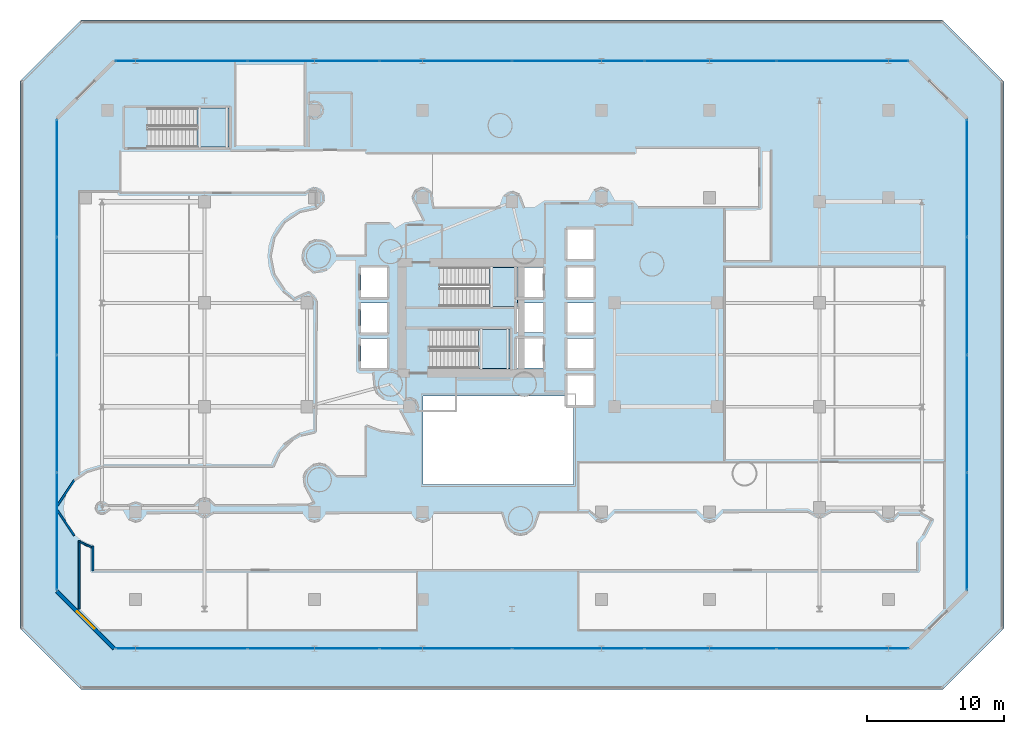
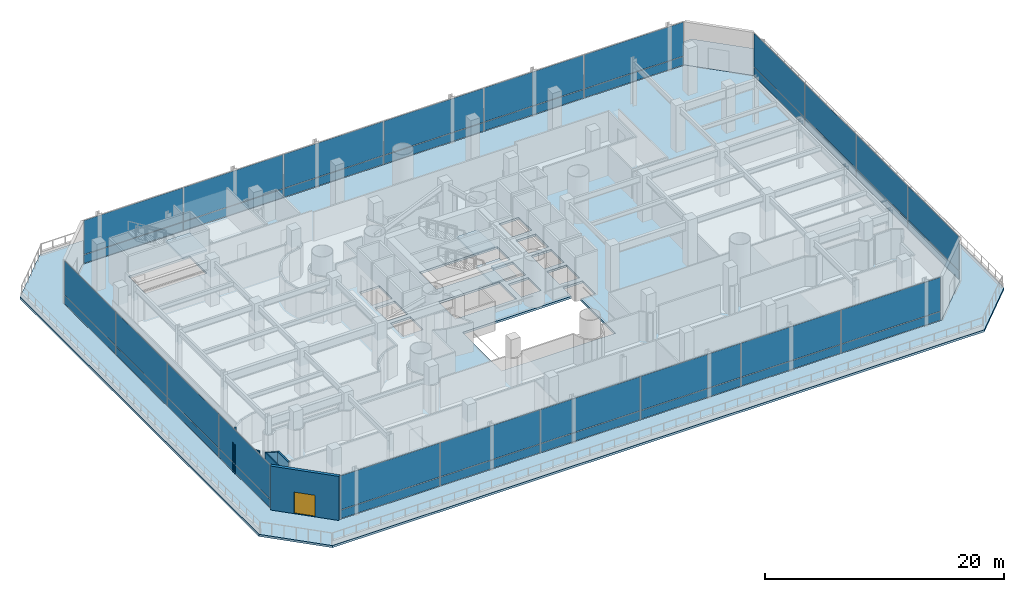
# One storey, part 25 of 39: 40 plates, 6 walls, 5 slabs, 1 door, 1 opening, 7 elements without a shape of their own.
"""IFC4 building model written with IfcOpenShell, lengths in metres."""

from ifc_helpers import new_model, si_unit, direction, frame, frame_2d, origin, origin_2d, place, context, subcontext, project, spatial, polyline, rectangle, outline, extrude, material, layer, layer_set, type_object, element, fill, aggregate, save


model = new_model("IFC4")

# Units and contexts
model_context = context("Model", 3, precision=1e-05, world=origin(), true_north=direction((0.0, 1.0)))
body_context = subcontext(model_context, "Body", "Model", "MODEL_VIEW")
ifc_project = project(units=[si_unit("LENGTHUNIT", "METRE"), si_unit("AREAUNIT", "SQUARE_METRE"), si_unit("VOLUMEUNIT", "CUBIC_METRE"), si_unit("PLANEANGLEUNIT", "RADIAN"), si_unit("MASSUNIT", "GRAM", prefix="KILO")], contexts=[model_context])

# Site, building, storey
site_placement = place(None, origin())
site = spatial("IfcSite", under=ifc_project, at=site_placement, CompositionType="ELEMENT")
building_placement = place(site_placement, origin())
building = spatial("IfcBuilding", under=site, at=building_placement, Name="Qianvela Tower", CompositionType="ELEMENT")
storey_placement = place(building_placement, frame((0.0, 0.0, 15.800048828125)))
storey = spatial("IfcBuildingStorey", under=building, at=storey_placement, Name="L03", CompositionType="ELEMENT", Elevation=15.800048828125)

# Curtain wall, plates
ifc_material_1 = material(Name="Anodised Architectural Aluminium and Low-E Glass", Category="aluminium")
ifc_layer_1 = layer(ifc_material_1, 0.179931640625)
ifc_layer_set_1 = layer_set([ifc_layer_1], Name="Anodised Architectural Aluminium and Low-E Glass")
curtain_wall_type = type_object("IfcCurtainWallType", Name="CW-COMMONS", PredefinedType="USERDEFINED", material=ifc_layer_set_1)
curtain_wall_1_placement = place(storey_placement, origin())
curtain_wall_1 = element("IfcCurtainWall", 1, at=curtain_wall_1_placement, inside=storey, type_object=curtain_wall_type, Name="L03 CW-COMMONS Curtain Wall 01", ObjectType="CURTAIN_WALL_SYSTEM", PredefinedType="USERDEFINED")
ifc_material_2 = material(Name="Double-Silver Low-E Insulated Glass", Category="glass")
ifc_layer_2 = layer(ifc_material_2, 0.031982421875)
ifc_layer_set_2 = layer_set([ifc_layer_2], Name="Double-Silver Low-E Insulated Glass")
plate_type = type_object("IfcPlateType", Name="CW-COMMONS-PNL", PredefinedType="CURTAIN_PANEL", material=ifc_layer_set_2)
plate_1_placement = place(storey_placement, frame((13.30908203125, 4.5, 0.06005859375), z_axis=(0.0, 0.0, 1.0), x_axis=(1.0, 0.0, 0.0)))
plate_1 = element("IfcPlate", 2, at=plate_1_placement, type_object=plate_type, Name="CW-2 panel 1.1", PredefinedType="CURTAIN_PANEL", context=body_context, shape_type="SweptSolid", body=[
    extrude(rectangle(XDim=9.578369140625, YDim=0.031982421875, at=origin_2d()), origin(), (0.0, 0.0, 1.0), 0.860107421875),
])
plate_2_placement = place(storey_placement, frame((13.30908203125, 4.5, 0.97998046875), z_axis=(0.0, 0.0, 1.0), x_axis=(1.0, 0.0, 0.0)))
plate_2 = element("IfcPlate", 3, at=plate_2_placement, type_object=plate_type, Name="CW-2 panel 1.2", PredefinedType="CURTAIN_PANEL", context=body_context, shape_type="SweptSolid", body=[
    extrude(rectangle(XDim=9.578369140625, YDim=0.031982421875, at=origin_2d()), origin(), (0.0, 0.0, 1.0), 3.4599609375),
])
plate_3_placement = place(storey_placement, frame((22.97509765625, 4.5, 0.06005859375), z_axis=(0.0, 0.0, 1.0), x_axis=(1.0, 0.0, 0.0)))
plate_3 = element("IfcPlate", 4, at=plate_3_placement, type_object=plate_type, Name="CW-2 panel 2.1", PredefinedType="CURTAIN_PANEL", context=body_context, shape_type="SweptSolid", body=[
    extrude(rectangle(XDim=9.61328125, YDim=0.031982421875, at=origin_2d()), origin(), (0.0, 0.0, 1.0), 0.860107421875),
])
plate_4_placement = place(storey_placement, frame((22.97509765625, 4.5, 0.97998046875), z_axis=(0.0, 0.0, 1.0), x_axis=(1.0, 0.0, 0.0)))
plate_4 = element("IfcPlate", 5, at=plate_4_placement, type_object=plate_type, Name="CW-2 panel 2.2", PredefinedType="CURTAIN_PANEL", context=body_context, shape_type="SweptSolid", body=[
    extrude(rectangle(XDim=9.61328125, YDim=0.031982421875, at=origin_2d()), origin(), (0.0, 0.0, 1.0), 3.4599609375),
])
plate_5_placement = place(storey_placement, frame((32.658447265625, 4.5, 0.06005859375), z_axis=(0.0, 0.0, 1.0), x_axis=(1.0, 0.0, 0.0)))
plate_5 = element("IfcPlate", 6, at=plate_5_placement, type_object=plate_type, Name="CW-2 panel 3.1", PredefinedType="CURTAIN_PANEL", context=body_context, shape_type="SweptSolid", body=[
    extrude(rectangle(XDim=9.61328125, YDim=0.031982421875, at=origin_2d()), origin(), (0.0, 0.0, 1.0), 0.860107421875),
])
plate_6_placement = place(storey_placement, frame((32.658447265625, 4.5, 0.97998046875), z_axis=(0.0, 0.0, 1.0), x_axis=(1.0, 0.0, 0.0)))
plate_6 = element("IfcPlate", 7, at=plate_6_placement, type_object=plate_type, Name="CW-2 panel 3.2", PredefinedType="CURTAIN_PANEL", context=body_context, shape_type="SweptSolid", body=[
    extrude(rectangle(XDim=9.61328125, YDim=0.031982421875, at=origin_2d()), origin(), (0.0, 0.0, 1.0), 3.4599609375),
])
plate_7_placement = place(storey_placement, frame((42.341552734375, 4.5, 0.06005859375), z_axis=(0.0, 0.0, 1.0), x_axis=(1.0, 0.0, 0.0)))
plate_7 = element("IfcPlate", 8, at=plate_7_placement, type_object=plate_type, Name="CW-2 panel 4.1", PredefinedType="CURTAIN_PANEL", context=body_context, shape_type="SweptSolid", body=[
    extrude(rectangle(XDim=9.61328125, YDim=0.031982421875, at=origin_2d()), origin(), (0.0, 0.0, 1.0), 0.860107421875),
])
plate_8_placement = place(storey_placement, frame((42.341552734375, 4.5, 0.97998046875), z_axis=(0.0, 0.0, 1.0), x_axis=(1.0, 0.0, 0.0)))
plate_8 = element("IfcPlate", 9, at=plate_8_placement, type_object=plate_type, Name="CW-2 panel 4.2", PredefinedType="CURTAIN_PANEL", context=body_context, shape_type="SweptSolid", body=[
    extrude(rectangle(XDim=9.61328125, YDim=0.031982421875, at=origin_2d()), origin(), (0.0, 0.0, 1.0), 3.4599609375),
])
plate_9_placement = place(storey_placement, frame((52.02490234375, 4.5, 0.06005859375), z_axis=(0.0, 0.0, 1.0), x_axis=(1.0, 0.0, 0.0)))
plate_9 = element("IfcPlate", 10, at=plate_9_placement, type_object=plate_type, Name="CW-2 panel 5.1", PredefinedType="CURTAIN_PANEL", context=body_context, shape_type="SweptSolid", body=[
    extrude(rectangle(XDim=9.61328125, YDim=0.031982421875, at=origin_2d()), origin(), (0.0, 0.0, 1.0), 0.860107421875),
])
plate_10_placement = place(storey_placement, frame((52.02490234375, 4.5, 0.97998046875), z_axis=(0.0, 0.0, 1.0), x_axis=(1.0, 0.0, 0.0)))
plate_10 = element("IfcPlate", 11, at=plate_10_placement, type_object=plate_type, Name="CW-2 panel 5.2", PredefinedType="CURTAIN_PANEL", context=body_context, shape_type="SweptSolid", body=[
    extrude(rectangle(XDim=9.61328125, YDim=0.031982421875, at=origin_2d()), origin(), (0.0, 0.0, 1.0), 3.4599609375),
])
plate_11_placement = place(storey_placement, frame((61.69091796875, 4.5, 0.06005859375), z_axis=(0.0, 0.0, 1.0), x_axis=(1.0, 0.0, 0.0)))
plate_11 = element("IfcPlate", 12, at=plate_11_placement, type_object=plate_type, Name="CW-2 panel 6.1", PredefinedType="CURTAIN_PANEL", context=body_context, shape_type="SweptSolid", body=[
    extrude(rectangle(XDim=9.578369140625, YDim=0.031982421875, at=origin_2d()), origin(), (0.0, 0.0, 1.0), 0.860107421875),
])
plate_12_placement = place(storey_placement, frame((61.69091796875, 4.5, 0.97998046875), z_axis=(0.0, 0.0, 1.0), x_axis=(1.0, 0.0, 0.0)))
plate_12 = element("IfcPlate", 13, at=plate_12_placement, type_object=plate_type, Name="CW-2 panel 6.2", PredefinedType="CURTAIN_PANEL", context=body_context, shape_type="SweptSolid", body=[
    extrude(rectangle(XDim=9.578369140625, YDim=0.031982421875, at=origin_2d()), origin(), (0.0, 0.0, 1.0), 3.4599609375),
])
aggregate(curtain_wall_1, [plate_1, plate_2, plate_3, plate_4, plate_5, plate_6, plate_7, plate_8, plate_9, plate_10, plate_11, plate_12])

curtain_wall_2_placement = place(storey_placement, origin())
curtain_wall_2 = element("IfcCurtainWall", 14, at=curtain_wall_2_placement, inside=storey, type_object=curtain_wall_type, Name="L03 CW-COMMONS Curtain Wall 03", ObjectType="CURTAIN_WALL_SYSTEM", PredefinedType="USERDEFINED")
plate_13_placement = place(storey_placement, frame((70.800048828125, 13.080078125, 0.06005859375), z_axis=(0.0, 0.0, 1.0), x_axis=(0.0, 1.0, 0.0)))
plate_13 = element("IfcPlate", 15, at=plate_13_placement, type_object=plate_type, Name="CW-2 panel 1.1", PredefinedType="CURTAIN_PANEL", context=body_context, shape_type="SweptSolid", body=[
    extrude(rectangle(XDim=8.52001953125, YDim=0.031982421875, at=origin_2d()), origin(), (0.0, 0.0, 1.0), 0.860107421875),
])
plate_14_placement = place(storey_placement, frame((70.800048828125, 13.080078125, 0.97998046875), z_axis=(0.0, 0.0, 1.0), x_axis=(0.0, 1.0, 0.0)))
plate_14 = element("IfcPlate", 16, at=plate_14_placement, type_object=plate_type, Name="CW-2 panel 1.2", PredefinedType="CURTAIN_PANEL", context=body_context, shape_type="SweptSolid", body=[
    extrude(rectangle(XDim=8.52001953125, YDim=0.031982421875, at=origin_2d()), origin(), (0.0, 0.0, 1.0), 3.4599609375),
])
plate_15_placement = place(storey_placement, frame((70.800048828125, 21.6875, 0.06005859375), z_axis=(0.0, 0.0, 1.0), x_axis=(0.0, 1.0, 0.0)))
plate_15 = element("IfcPlate", 17, at=plate_15_placement, type_object=plate_type, Name="CW-2 panel 2.1", PredefinedType="CURTAIN_PANEL", context=body_context, shape_type="SweptSolid", body=[
    extrude(rectangle(XDim=8.554931640625, YDim=0.031982421875, at=origin_2d()), origin(), (0.0, 0.0, 1.0), 0.860107421875),
])
plate_16_placement = place(storey_placement, frame((70.800048828125, 21.6875, 0.97998046875), z_axis=(0.0, 0.0, 1.0), x_axis=(0.0, 1.0, 0.0)))
plate_16 = element("IfcPlate", 18, at=plate_16_placement, type_object=plate_type, Name="CW-2 panel 2.2", PredefinedType="CURTAIN_PANEL", context=body_context, shape_type="SweptSolid", body=[
    extrude(rectangle(XDim=8.554931640625, YDim=0.031982421875, at=origin_2d()), origin(), (0.0, 0.0, 1.0), 3.4599609375),
])
plate_17_placement = place(storey_placement, frame((70.800048828125, 30.3125, 0.06005859375), z_axis=(0.0, 0.0, 1.0), x_axis=(0.0, 1.0, 0.0)))
plate_17 = element("IfcPlate", 19, at=plate_17_placement, type_object=plate_type, Name="CW-2 panel 3.1", PredefinedType="CURTAIN_PANEL", context=body_context, shape_type="SweptSolid", body=[
    extrude(rectangle(XDim=8.554931640625, YDim=0.031982421875, at=origin_2d()), origin(), (0.0, 0.0, 1.0), 0.860107421875),
])
plate_18_placement = place(storey_placement, frame((70.800048828125, 30.3125, 0.97998046875), z_axis=(0.0, 0.0, 1.0), x_axis=(0.0, 1.0, 0.0)))
plate_18 = element("IfcPlate", 20, at=plate_18_placement, type_object=plate_type, Name="CW-2 panel 3.2", PredefinedType="CURTAIN_PANEL", context=body_context, shape_type="SweptSolid", body=[
    extrude(rectangle(XDim=8.554931640625, YDim=0.031982421875, at=origin_2d()), origin(), (0.0, 0.0, 1.0), 3.4599609375),
])
plate_19_placement = place(storey_placement, frame((70.800048828125, 38.919921875, 0.06005859375), z_axis=(0.0, 0.0, 1.0), x_axis=(0.0, 1.0, 0.0)))
plate_19 = element("IfcPlate", 21, at=plate_19_placement, type_object=plate_type, Name="CW-2 panel 4.1", PredefinedType="CURTAIN_PANEL", context=body_context, shape_type="SweptSolid", body=[
    extrude(rectangle(XDim=8.52001953125, YDim=0.031982421875, at=origin_2d()), origin(), (0.0, 0.0, 1.0), 0.860107421875),
])
plate_20_placement = place(storey_placement, frame((70.800048828125, 38.919921875, 0.97998046875), z_axis=(0.0, 0.0, 1.0), x_axis=(0.0, 1.0, 0.0)))
plate_20 = element("IfcPlate", 22, at=plate_20_placement, type_object=plate_type, Name="CW-2 panel 4.2", PredefinedType="CURTAIN_PANEL", context=body_context, shape_type="SweptSolid", body=[
    extrude(rectangle(XDim=8.52001953125, YDim=0.031982421875, at=origin_2d()), origin(), (0.0, 0.0, 1.0), 3.4599609375),
])
aggregate(curtain_wall_2, [plate_13, plate_14, plate_15, plate_16, plate_17, plate_18, plate_19, plate_20])

curtain_wall_3_placement = place(storey_placement, origin())
curtain_wall_3 = element("IfcCurtainWall", 23, at=curtain_wall_3_placement, inside=storey, type_object=curtain_wall_type, Name="L03 CW-COMMONS Curtain Wall 05", ObjectType="CURTAIN_WALL_SYSTEM", PredefinedType="USERDEFINED")
plate_21_placement = place(storey_placement, frame((61.69091796875, 47.5, 0.06005859375), z_axis=(0.0, 0.0, 1.0), x_axis=(-1.0, 0.0, 0.0)))
plate_21 = element("IfcPlate", 24, at=plate_21_placement, type_object=plate_type, Name="CW-2 panel 1.1", PredefinedType="CURTAIN_PANEL", context=body_context, shape_type="SweptSolid", body=[
    extrude(rectangle(XDim=9.578369140625, YDim=0.031982421875, at=origin_2d()), origin(), (0.0, 0.0, 1.0), 0.860107421875),
])
plate_22_placement = place(storey_placement, frame((61.69091796875, 47.5, 0.97998046875), z_axis=(0.0, 0.0, 1.0), x_axis=(-1.0, 0.0, 0.0)))
plate_22 = element("IfcPlate", 25, at=plate_22_placement, type_object=plate_type, Name="CW-2 panel 1.2", PredefinedType="CURTAIN_PANEL", context=body_context, shape_type="SweptSolid", body=[
    extrude(rectangle(XDim=9.578369140625, YDim=0.031982421875, at=origin_2d()), origin(), (0.0, 0.0, 1.0), 3.4599609375),
])
plate_23_placement = place(storey_placement, frame((52.02490234375, 47.5, 0.06005859375), z_axis=(0.0, 0.0, 1.0), x_axis=(-1.0, 0.0, 0.0)))
plate_23 = element("IfcPlate", 26, at=plate_23_placement, type_object=plate_type, Name="CW-2 panel 2.1", PredefinedType="CURTAIN_PANEL", context=body_context, shape_type="SweptSolid", body=[
    extrude(rectangle(XDim=9.61328125, YDim=0.031982421875, at=origin_2d()), origin(), (0.0, 0.0, 1.0), 0.860107421875),
])
plate_24_placement = place(storey_placement, frame((52.02490234375, 47.5, 0.97998046875), z_axis=(0.0, 0.0, 1.0), x_axis=(-1.0, 0.0, 0.0)))
plate_24 = element("IfcPlate", 27, at=plate_24_placement, type_object=plate_type, Name="CW-2 panel 2.2", PredefinedType="CURTAIN_PANEL", context=body_context, shape_type="SweptSolid", body=[
    extrude(rectangle(XDim=9.61328125, YDim=0.031982421875, at=origin_2d()), origin(), (0.0, 0.0, 1.0), 3.4599609375),
])
plate_25_placement = place(storey_placement, frame((42.341552734375, 47.5, 0.06005859375), z_axis=(0.0, 0.0, 1.0), x_axis=(-1.0, 0.0, 0.0)))
plate_25 = element("IfcPlate", 28, at=plate_25_placement, type_object=plate_type, Name="CW-2 panel 3.1", PredefinedType="CURTAIN_PANEL", context=body_context, shape_type="SweptSolid", body=[
    extrude(rectangle(XDim=9.61328125, YDim=0.031982421875, at=origin_2d()), origin(), (0.0, 0.0, 1.0), 0.860107421875),
])
plate_26_placement = place(storey_placement, frame((42.341552734375, 47.5, 0.97998046875), z_axis=(0.0, 0.0, 1.0), x_axis=(-1.0, 0.0, 0.0)))
plate_26 = element("IfcPlate", 29, at=plate_26_placement, type_object=plate_type, Name="CW-2 panel 3.2", PredefinedType="CURTAIN_PANEL", context=body_context, shape_type="SweptSolid", body=[
    extrude(rectangle(XDim=9.61328125, YDim=0.031982421875, at=origin_2d()), origin(), (0.0, 0.0, 1.0), 3.4599609375),
])
plate_27_placement = place(storey_placement, frame((32.658447265625, 47.5, 0.06005859375), z_axis=(0.0, 0.0, 1.0), x_axis=(-1.0, 0.0, 0.0)))
plate_27 = element("IfcPlate", 30, at=plate_27_placement, type_object=plate_type, Name="CW-2 panel 4.1", PredefinedType="CURTAIN_PANEL", context=body_context, shape_type="SweptSolid", body=[
    extrude(rectangle(XDim=9.61328125, YDim=0.031982421875, at=origin_2d()), origin(), (0.0, 0.0, 1.0), 0.860107421875),
])
plate_28_placement = place(storey_placement, frame((32.658447265625, 47.5, 0.97998046875), z_axis=(0.0, 0.0, 1.0), x_axis=(-1.0, 0.0, 0.0)))
plate_28 = element("IfcPlate", 31, at=plate_28_placement, type_object=plate_type, Name="CW-2 panel 4.2", PredefinedType="CURTAIN_PANEL", context=body_context, shape_type="SweptSolid", body=[
    extrude(rectangle(XDim=9.61328125, YDim=0.031982421875, at=origin_2d()), origin(), (0.0, 0.0, 1.0), 3.4599609375),
])
plate_29_placement = place(storey_placement, frame((22.97509765625, 47.5, 0.06005859375), z_axis=(0.0, 0.0, 1.0), x_axis=(-1.0, 0.0, 0.0)))
plate_29 = element("IfcPlate", 32, at=plate_29_placement, type_object=plate_type, Name="CW-2 panel 5.1", PredefinedType="CURTAIN_PANEL", context=body_context, shape_type="SweptSolid", body=[
    extrude(rectangle(XDim=9.61328125, YDim=0.031982421875, at=origin_2d()), origin(), (0.0, 0.0, 1.0), 0.860107421875),
])
plate_30_placement = place(storey_placement, frame((22.97509765625, 47.5, 0.97998046875), z_axis=(0.0, 0.0, 1.0), x_axis=(-1.0, 0.0, 0.0)))
plate_30 = element("IfcPlate", 33, at=plate_30_placement, type_object=plate_type, Name="CW-2 panel 5.2", PredefinedType="CURTAIN_PANEL", context=body_context, shape_type="SweptSolid", body=[
    extrude(rectangle(XDim=9.61328125, YDim=0.031982421875, at=origin_2d()), origin(), (0.0, 0.0, 1.0), 3.4599609375),
])
plate_31_placement = place(storey_placement, frame((13.30908203125, 47.5, 0.06005859375), z_axis=(0.0, 0.0, 1.0), x_axis=(-1.0, 0.0, 0.0)))
plate_31 = element("IfcPlate", 34, at=plate_31_placement, type_object=plate_type, Name="CW-2 panel 6.1", PredefinedType="CURTAIN_PANEL", context=body_context, shape_type="SweptSolid", body=[
    extrude(rectangle(XDim=9.578369140625, YDim=0.031982421875, at=origin_2d()), origin(), (0.0, 0.0, 1.0), 0.860107421875),
])
plate_32_placement = place(storey_placement, frame((13.30908203125, 47.5, 0.97998046875), z_axis=(0.0, 0.0, 1.0), x_axis=(-1.0, 0.0, 0.0)))
plate_32 = element("IfcPlate", 35, at=plate_32_placement, type_object=plate_type, Name="CW-2 panel 6.2", PredefinedType="CURTAIN_PANEL", context=body_context, shape_type="SweptSolid", body=[
    extrude(rectangle(XDim=9.578369140625, YDim=0.031982421875, at=origin_2d()), origin(), (0.0, 0.0, 1.0), 3.4599609375),
])
aggregate(curtain_wall_3, [plate_21, plate_22, plate_23, plate_24, plate_25, plate_26, plate_27, plate_28, plate_29, plate_30, plate_31, plate_32])

curtain_wall_4_placement = place(storey_placement, origin())
curtain_wall_4 = element("IfcCurtainWall", 36, at=curtain_wall_4_placement, inside=storey, type_object=curtain_wall_type, Name="L03 CW-COMMONS Curtain Wall 07", ObjectType="CURTAIN_WALL_SYSTEM", PredefinedType="USERDEFINED")
plate_33_placement = place(storey_placement, frame((4.199951171875, 38.919921875, 0.06005859375), z_axis=(0.0, 0.0, 1.0), x_axis=(0.0, -1.0, 0.0)))
plate_33 = element("IfcPlate", 37, at=plate_33_placement, type_object=plate_type, Name="CW-2 panel 1.1", PredefinedType="CURTAIN_PANEL", context=body_context, shape_type="SweptSolid", body=[
    extrude(rectangle(XDim=8.52001953125, YDim=0.031982421875, at=origin_2d()), origin(), (0.0, 0.0, 1.0), 0.860107421875),
])
plate_34_placement = place(storey_placement, frame((4.199951171875, 38.919921875, 0.97998046875), z_axis=(0.0, 0.0, 1.0), x_axis=(0.0, -1.0, 0.0)))
plate_34 = element("IfcPlate", 38, at=plate_34_placement, type_object=plate_type, Name="CW-2 panel 1.2", PredefinedType="CURTAIN_PANEL", context=body_context, shape_type="SweptSolid", body=[
    extrude(rectangle(XDim=8.52001953125, YDim=0.031982421875, at=origin_2d()), origin(), (0.0, 0.0, 1.0), 3.4599609375),
])
plate_35_placement = place(storey_placement, frame((4.199951171875, 30.3125, 0.06005859375), z_axis=(0.0, 0.0, 1.0), x_axis=(0.0, -1.0, 0.0)))
plate_35 = element("IfcPlate", 39, at=plate_35_placement, type_object=plate_type, Name="CW-2 panel 2.1", PredefinedType="CURTAIN_PANEL", context=body_context, shape_type="SweptSolid", body=[
    extrude(rectangle(XDim=8.554931640625, YDim=0.031982421875, at=origin_2d()), origin(), (0.0, 0.0, 1.0), 0.860107421875),
])
plate_36_placement = place(storey_placement, frame((4.199951171875, 30.3125, 0.97998046875), z_axis=(0.0, 0.0, 1.0), x_axis=(0.0, -1.0, 0.0)))
plate_36 = element("IfcPlate", 40, at=plate_36_placement, type_object=plate_type, Name="CW-2 panel 2.2", PredefinedType="CURTAIN_PANEL", context=body_context, shape_type="SweptSolid", body=[
    extrude(rectangle(XDim=8.554931640625, YDim=0.031982421875, at=origin_2d()), origin(), (0.0, 0.0, 1.0), 3.4599609375),
])
plate_37_placement = place(storey_placement, frame((4.199951171875, 21.6875, 0.06005859375), z_axis=(0.0, 0.0, 1.0), x_axis=(0.0, -1.0, 0.0)))
plate_37 = element("IfcPlate", 41, at=plate_37_placement, type_object=plate_type, Name="CW-2 panel 3.1", PredefinedType="CURTAIN_PANEL", context=body_context, shape_type="SweptSolid", body=[
    extrude(rectangle(XDim=8.554931640625, YDim=0.031982421875, at=origin_2d()), origin(), (0.0, 0.0, 1.0), 0.860107421875),
])
plate_38_placement = place(storey_placement, frame((4.199951171875, 21.6875, 0.97998046875), z_axis=(0.0, 0.0, 1.0), x_axis=(0.0, -1.0, 0.0)))
plate_38 = element("IfcPlate", 42, at=plate_38_placement, type_object=plate_type, Name="CW-2 panel 3.2", PredefinedType="CURTAIN_PANEL", context=body_context, shape_type="SweptSolid", body=[
    extrude(rectangle(XDim=8.554931640625, YDim=0.031982421875, at=origin_2d()), origin(), (0.0, 0.0, 1.0), 3.4599609375),
])
plate_39_placement = place(storey_placement, frame((4.199951171875, 13.080078125, 0.06005859375), z_axis=(0.0, 0.0, 1.0), x_axis=(0.0, -1.0, 0.0)))
plate_39 = element("IfcPlate", 43, at=plate_39_placement, type_object=plate_type, Name="CW-2 panel 4.1", PredefinedType="CURTAIN_PANEL", context=body_context, shape_type="SweptSolid", body=[
    extrude(rectangle(XDim=8.52001953125, YDim=0.031982421875, at=origin_2d()), origin(), (0.0, 0.0, 1.0), 0.860107421875),
])
plate_40_placement = place(storey_placement, frame((4.199951171875, 13.080078125, 0.97998046875), z_axis=(0.0, 0.0, 1.0), x_axis=(0.0, -1.0, 0.0)))
plate_40 = element("IfcPlate", 44, at=plate_40_placement, type_object=plate_type, Name="CW-2 panel 4.2", PredefinedType="CURTAIN_PANEL", context=body_context, shape_type="SweptSolid", body=[
    extrude(rectangle(XDim=8.52001953125, YDim=0.031982421875, at=origin_2d()), origin(), (0.0, 0.0, 1.0), 3.4599609375),
])
aggregate(curtain_wall_4, [plate_33, plate_34, plate_35, plate_36, plate_37, plate_38, plate_39, plate_40])

# Slab
ifc_material_3 = material(Name="Concrete C40", Category="concrete")
ifc_layer_3 = layer(ifc_material_3, 0.219970703125)
ifc_layer_set_3 = layer_set([ifc_layer_3], Name="Concrete C40")
slab_type_1 = type_object("IfcSlabType", Name="SL-POD-220", PredefinedType="FLOOR", material=ifc_layer_set_3)
slab_1_placement = place(storey_placement, frame((0.0, 0.0, -0.219970703125)))
element("IfcSlab", 45, at=slab_1_placement, inside=storey, type_object=slab_type_1, Name="L03 Composite Structural Floor Slab", PredefinedType="FLOOR", context=body_context, shape_type="SweptSolid", body=[
    extrude(outline(polyline([(8.39990234375, 4.5), (66.60009765625, 4.5), (70.800048828125, 8.699951171875), (70.800048828125, 43.300048828125), (66.60009765625, 47.5), (8.39990234375, 47.5), (4.199951171875, 43.300048828125), (4.199951171875, 8.699951171875), (8.39990234375, 4.5)]), holes=[polyline([(42.0, 22.320068359375), (43.4599609375, 22.320068359375), (43.4599609375, 24.47998046875), (41.5400390625, 24.47998046875), (41.5400390625, 23.0), (31.0, 23.0), (31.0, 16.5), (42.0, 16.5), (42.0, 22.320068359375)]), polyline([(28.360107421875, 25.02001953125), (28.360107421875, 27.179931640625), (26.43994140625, 27.179931640625), (26.43994140625, 25.02001953125), (28.360107421875, 25.02001953125)]), polyline([(37.35009765625, 25.0), (37.35009765625, 27.860107421875), (31.469970703125, 27.860107421875), (31.469970703125, 25.0), (37.35009765625, 25.0)]), polyline([(28.360107421875, 27.6201171875), (28.360107421875, 29.780029296875), (26.43994140625, 29.780029296875), (26.43994140625, 27.6201171875), (28.360107421875, 27.6201171875)]), polyline([(37.89990234375, 32.3798828125), (37.89990234375, 32.39990234375), (32.25, 32.39990234375), (32.25, 29.5400390625), (37.840087890625, 29.5400390625), (37.840087890625, 27.6201171875), (39.760009765625, 27.6201171875), (39.760009765625, 29.780029296875), (37.89990234375, 29.780029296875), (37.89990234375, 30.219970703125), (39.760009765625, 30.219970703125), (39.760009765625, 32.3798828125), (37.89990234375, 32.3798828125)]), polyline([(28.360107421875, 30.219970703125), (28.360107421875, 32.3798828125), (26.43994140625, 32.3798828125), (26.43994140625, 30.219970703125), (28.360107421875, 30.219970703125)]), polyline([(16.800048828125, 41.199951171875), (16.800048828125, 44.06005859375), (10.8701171875, 44.06005859375), (10.8701171875, 41.199951171875), (16.800048828125, 41.199951171875)]), polyline([(39.760009765625, 25.02001953125), (39.760009765625, 27.179931640625), (37.840087890625, 27.179931640625), (37.840087890625, 25.02001953125), (39.760009765625, 25.02001953125)]), polyline([(43.4599609375, 25.02001953125), (43.4599609375, 27.179931640625), (41.5400390625, 27.179931640625), (41.5400390625, 25.02001953125), (43.4599609375, 25.02001953125)]), polyline([(43.4599609375, 27.6201171875), (43.4599609375, 29.780029296875), (41.5400390625, 29.780029296875), (41.5400390625, 27.6201171875), (43.4599609375, 27.6201171875)]), polyline([(43.4599609375, 30.219970703125), (43.4599609375, 32.3798828125), (41.5400390625, 32.3798828125), (41.5400390625, 30.219970703125), (43.4599609375, 30.219970703125)]), polyline([(43.4599609375, 33.02001953125), (43.4599609375, 35.179931640625), (41.5400390625, 35.179931640625), (41.5400390625, 33.02001953125), (43.4599609375, 33.02001953125)])]), origin(), (0.0, 0.0, 1.0), 0.219970703125),
])

# Stair, slab
ifc_material_4 = material(Name="Concrete C40", Category="concrete")
stair_type = type_object("IfcStairType", Name="ST-DOGLEG-1350-R171-N28", PredefinedType="HALF_TURN_STAIR", material=ifc_material_4)
stair_1_placement = place(storey_placement, origin())
stair_1 = element("IfcStair", 46, at=stair_1_placement, inside=storey, type_object=stair_type, Name="L03 Smoke-Proof Core Stair ST-1", PredefinedType="HALF_TURN_STAIR")
ifc_material_5 = material(Name="Concrete C40", Category="concrete")
ifc_layer_4 = layer(ifc_material_5, 0.199951171875)
ifc_layer_set_4 = layer_set([ifc_layer_4], Name="Concrete C40")
slab_type_2 = type_object("IfcSlabType", Name="SL-STAIR-LANDING-200", PredefinedType="LANDING", material=ifc_layer_set_4)
slab_2_placement = place(storey_placement, frame((0.0, 0.0, 2.199951171875)))
slab_2 = element("IfcSlab", 47, at=slab_2_placement, type_object=slab_type_2, Name="ST-1 landing 1", PredefinedType="LANDING", context=body_context, shape_type="SweptSolid", body=[
    extrude(outline(polyline([(35.840087890625, 29.5400390625), (37.89990234375, 29.5400390625), (37.89990234375, 32.39990234375), (35.840087890625, 32.39990234375), (35.840087890625, 29.5400390625)])), origin(), (0.0, 0.0, 1.0), 0.199951171875),
])
aggregate(stair_1, [slab_2])

stair_2_placement = place(storey_placement, origin())
stair_2 = element("IfcStair", 48, at=stair_2_placement, inside=storey, type_object=stair_type, Name="L03 Smoke-Proof Core Stair ST-2", PredefinedType="HALF_TURN_STAIR")
slab_3_placement = place(storey_placement, frame((0.0, 0.0, 2.199951171875)))
slab_3 = element("IfcSlab", 49, at=slab_3_placement, type_object=slab_type_2, Name="ST-2 landing 1", PredefinedType="LANDING", context=body_context, shape_type="SweptSolid", body=[
    extrude(outline(polyline([(35.06005859375, 25.0), (37.35009765625, 25.0), (37.35009765625, 27.860107421875), (35.06005859375, 27.860107421875), (35.06005859375, 25.0)])), origin(), (0.0, 0.0, 1.0), 0.199951171875),
])
aggregate(stair_2, [slab_3])

stair_3_placement = place(storey_placement, origin())
stair_3 = element("IfcStair", 50, at=stair_3_placement, inside=storey, type_object=stair_type, Name="L03 Smoke-Proof Core Stair ST-3", PredefinedType="HALF_TURN_STAIR")
slab_4_placement = place(storey_placement, frame((0.0, 0.0, 2.199951171875)))
slab_4 = element("IfcSlab", 51, at=slab_4_placement, type_object=slab_type_2, Name="ST-3 landing 1", PredefinedType="LANDING", context=body_context, shape_type="SweptSolid", body=[
    extrude(outline(polyline([(14.4599609375, 41.199951171875), (16.800048828125, 41.199951171875), (16.800048828125, 44.06005859375), (14.4599609375, 44.06005859375), (14.4599609375, 41.199951171875)])), origin(), (0.0, 0.0, 1.0), 0.199951171875),
])
aggregate(stair_3, [slab_4])

# Slab
ifc_material_6 = material(Name="Concrete C40", Category="concrete")
ifc_layer_5 = layer(ifc_material_6, 0.219970703125)
ifc_layer_set_5 = layer_set([ifc_layer_5], Name="Concrete C40")
slab_type_3 = type_object("IfcSlabType", Name="SL-TERR-220", PredefinedType="FLOOR", material=ifc_layer_set_5)
slab_5_placement = place(storey_placement, frame((0.0, 0.0, -0.219970703125)))
element("IfcSlab", 52, at=slab_5_placement, inside=storey, type_object=slab_type_3, Name="L03 Walk-Out Landscaped Podium Terrace Slab", PredefinedType="FLOOR", context=body_context, shape_type="SweptSolid", body=[
    extrude(outline(polyline([(6.0, 1.5), (69.0, 1.5), (73.5, 6.0), (73.5, 46.0), (69.0, 50.5), (6.0, 50.5), (1.5, 46.0), (1.5, 6.0), (6.0, 1.5)]), holes=[polyline([(8.39990234375, 4.5), (66.60009765625, 4.5), (70.800048828125, 8.699951171875), (70.800048828125, 43.300048828125), (66.60009765625, 47.5), (8.39990234375, 47.5), (4.199951171875, 43.300048828125), (4.199951171875, 8.699951171875), (8.39990234375, 4.5)])]), origin(), (0.0, 0.0, 1.0), 0.219970703125),
])

# Wall, opening, door
ifc_material_7 = material(Name="Terracotta Cladding on Concrete C40", Category="masonry")
ifc_layer_6 = layer(ifc_material_7, 0.280029296875)
ifc_layer_set_6 = layer_set([ifc_layer_6], Name="Terracotta Cladding on Concrete C40")
wall_type_1 = type_object("IfcWallType", Name="TERRACOTTA-WALL-280", PredefinedType="SOLIDWALL", material=ifc_layer_set_6)
wall_1_placement = place(storey_placement, frame((4.199951171875, 8.699951171875, 0.0), z_axis=(0.0, 0.0, 1.0), x_axis=(0.707106781187, -0.707106781187, 0.0)))
wall_1 = element("IfcWall", 53, at=wall_1_placement, inside=storey, type_object=wall_type_1, Name="L03 Terracotta Corner Wall 8", PredefinedType="SOLIDWALL", context=body_context, shape_type="SweptSolid", body=[
    extrude(rectangle(XDim=5.939697265625, YDim=0.280029296875, at=frame_2d((2.9697265625, 0.0))), origin(), (0.0, 0.0, 1.0), 4.5),
])
opening_placement = place(wall_1_placement, frame((2.06982421875, 0.0, 0.0)))
opening = element("IfcOpeningElement", 54, at=opening_placement, cuts=wall_1, Name="Opening ED-02", PredefinedType="OPENING", context=body_context, shape_type="SweptSolid", body=[
    extrude(rectangle(XDim=1.800048828125, YDim=2.199951171875, at=frame_2d((0.89990234375, 1.10009765625))), frame((0.0, 0.14990234375, 0.0), z_axis=(0.0, -1.0, 0.0), x_axis=(1.0, 0.0, 0.0)), (0.0, 0.0, 1.0), 0.300048828125),
])
ifc_material_8 = material(Name="Thermally Broken Anodised Aluminium and Low-E Glass", Category="aluminium")
door_type = type_object("IfcDoorType", Name="DT-EXT-TERR-1800", OperationType="DOUBLE_DOOR_SINGLE_SWING", PredefinedType="DOOR", material=ifc_material_8)
door_placement = place(opening_placement, origin())
door = element("IfcDoor", 55, at=door_placement, inside=storey, type_object=door_type, Name="L03 Terrace Access Door 8", OperationType="DOUBLE_DOOR_SINGLE_SWING", OverallHeight=2.199951171875, OverallWidth=1.800048828125, PredefinedType="DOOR", context=body_context, shape_type="SweptSolid", body=[
    extrude(rectangle(XDim=1.800048828125, YDim=2.199951171875, at=frame_2d((0.89990234375, 1.10009765625))), frame((0.0, 0.02490234375, 0.0), z_axis=(0.0, -1.0, 0.0), x_axis=(1.0, 0.0, 0.0)), (0.0, 0.0, 1.0), 0.050048828125),
])
fill(opening, door)

# Walls
ifc_material_9 = material(Name="Fire-Rated Acoustic Gypsum Board")
ifc_layer_7 = layer(ifc_material_9, 0.14990234375)
ifc_layer_set_7 = layer_set([ifc_layer_7], Name="Fire-Rated Acoustic Gypsum Board")
wall_type_2 = type_object("IfcWallType", Name="WT-CORR-150", PredefinedType="PARTITIONING", material=ifc_layer_set_7)
wall_2_placement = place(storey_placement, frame((6.8310546875, 10.199951171875, 0.0), z_axis=(0.0, 0.0, 1.0), x_axis=(0.0, 1.0, 0.0)))
element("IfcWall", 56, at=wall_2_placement, inside=storey, type_object=wall_type_2, Name="L03 Partition 86", PredefinedType="PARTITIONING", context=body_context, shape_type="SweptSolid", body=[
    extrude(rectangle(XDim=1.79638671875, YDim=0.14990234375, at=frame_2d((0.898193359375, 0.0))), origin(), (0.0, 0.0, 1.0), 3.02001953125),
])
wall_3_placement = place(storey_placement, frame((5.47509765625, 12.7666015625, 0.0), z_axis=(0.0, 0.0, 1.0), x_axis=(-0.555576038047, 0.831465733478, 0.0)))
element("IfcWall", 57, at=wall_3_placement, inside=storey, type_object=wall_type_2, Name="L03 Partition 88", PredefinedType="PARTITIONING", context=body_context, shape_type="SweptSolid", body=[
    extrude(rectangle(XDim=2.31494140625, YDim=0.14990234375, at=frame_2d((1.157470703125, 0.0))), origin(), (0.0, 0.0, 1.0), 3.02001953125),
])
wall_4_placement = place(storey_placement, frame((4.18896484375, 14.908447265625, 0.0), z_axis=(0.0, 0.0, 1.0), x_axis=(0.555527323797, 0.831498281727, 0.0)))
element("IfcWall", 58, at=wall_4_placement, inside=storey, type_object=wall_type_2, Name="L03 Partition 91", PredefinedType="PARTITIONING", context=body_context, shape_type="SweptSolid", body=[
    extrude(rectangle(XDim=2.315185546875, YDim=0.14990234375, at=frame_2d((1.15771484375, 0.0))), origin(), (0.0, 0.0, 1.0), 3.02001953125),
])
ifc_material_10 = material(Name="Lightweight Gypsum Room Partition")
ifc_layer_8 = layer(ifc_material_10, 0.10498046875)
ifc_layer_set_8 = layer_set([ifc_layer_8], Name="Lightweight Gypsum Room Partition")
wall_type_3 = type_object("IfcWallType", Name="WT-PART-105", PredefinedType="PARTITIONING", material=ifc_layer_set_8)
wall_5_placement = place(storey_placement, frame((5.787109375, 12.353271484375, 0.0), z_axis=(0.0, 0.0, 1.0), x_axis=(0.908698668485, -0.417452667849, 0.0)))
element("IfcWall", 59, at=wall_5_placement, inside=storey, type_object=wall_type_3, Name="L03 Partition 199", PredefinedType="PARTITIONING", context=body_context, shape_type="SweptSolid", body=[
    extrude(rectangle(XDim=1.0322265625, YDim=0.10498046875, at=frame_2d((0.51611328125, 0.0))), origin(), (0.0, 0.0, 1.0), 3.02001953125),
])
ifc_material_11 = material(Name="Insulated Gypsum Stud Partition")
ifc_layer_9 = layer(ifc_material_11, 0.1201171875)
ifc_layer_set_9 = layer_set([ifc_layer_9], Name="Insulated Gypsum Stud Partition")
wall_type_4 = type_object("IfcWallType", Name="WT-PART-120", PredefinedType="PARTITIONING", material=ifc_layer_set_9)
wall_6_placement = place(storey_placement, frame((5.8310546875, 7.40380859375, 0.0), z_axis=(0.0, 0.0, 1.0), x_axis=(0.0, 1.0, 0.0)))
element("IfcWall", 60, at=wall_6_placement, inside=storey, type_object=wall_type_4, Name="L03 Partition 198", PredefinedType="PARTITIONING", context=body_context, shape_type="SweptSolid", body=[
    extrude(rectangle(XDim=4.9775390625, YDim=0.1201171875, at=frame_2d((2.48876953125, 0.0))), origin(), (0.0, 0.0, 1.0), 3.02001953125),
])

save(model, "model.ifc")
